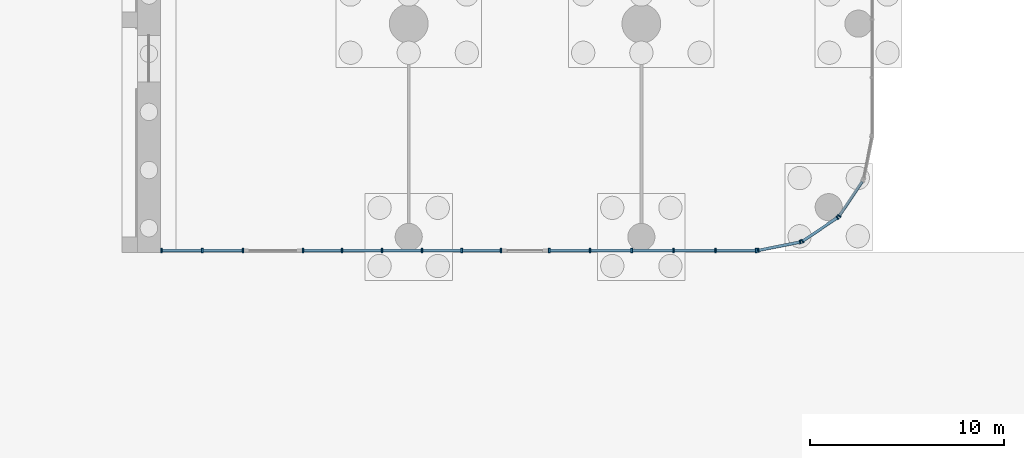
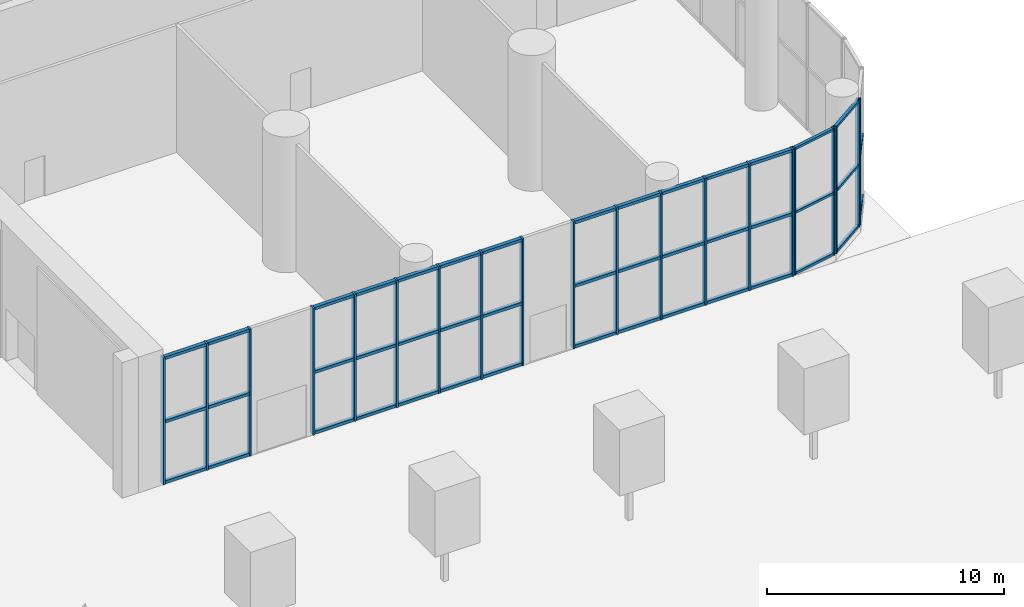
# One storey, part 9 of 26: 64 members, 6 elements without a shape of their own.
"""IFC4 building model written with IfcOpenShell, lengths in metres."""

import ifcopenshell
import ifcopenshell.guid

model = None  # the IFC model being written
_history = None  # IfcOwnerHistory: only IFC2X3 demands one
_inside = {}  # id of a spatial element -> (the spatial element, [elements in it])
_under = {}  # id of a project, library or spatial element -> (it, [spatial elements below it])
_declared = {}  # id of a project -> (the project, [libraries it declares])
_typed = {}  # id of a type object -> (the type object, [elements of that type])
_made_of = {}  # id of a material, layer set ... -> (it, [elements and type objects made of it])


def new_model(schema):
    """Start an empty IFC model of exactly this schema.

    Asked for "IFC4X3", IfcOpenShell would pick the latest addendum, in which some entities
    have other attributes; the version numbers below select the first issue.
    IFC2X3 requires an IfcOwnerHistory on every rooted entity: one is made here for all.
    """
    global model, _history
    if schema == "IFC4X3":
        model = ifcopenshell.file(schema_version=(4, 3, 0, 0))
    else:
        model = ifcopenshell.file(schema=schema)
    _inside.clear()
    _under.clear()
    _declared.clear()
    _typed.clear()
    _made_of.clear()
    _history = None
    if model.schema == "IFC2X3":
        org = make("IfcOrganization", Name="unknown")
        user = make(
            "IfcPersonAndOrganization",
            ThePerson=make("IfcPerson", FamilyName="unknown"),
            TheOrganization=org,
        )
        app = make(
            "IfcApplication",
            ApplicationDeveloper=org,
            Version="unknown",
            ApplicationFullName="unknown",
            ApplicationIdentifier="unknown",
        )
        _history = make(
            "IfcOwnerHistory",
            OwningUser=user,
            OwningApplication=app,
            ChangeAction="ADDED",
            CreationDate=0,
        )
    return model


def make(cls, **values):
    """One entity of the class cls with the attributes given. An attribute that is None is left unset."""
    return model.create_entity(
        cls, **{name: value for name, value in values.items() if value is not None}
    )


def rooted(cls, **values):
    """An entity with a GlobalId (a new one), such as an element, a storey or a relation."""
    return make(cls, GlobalId=ifcopenshell.guid.new(), OwnerHistory=_history, **values)


def si_unit(unit_type, name, prefix=None):
    """IfcSIUnit, for example si_unit("LENGTHUNIT", "METRE", prefix="MILLI")."""
    return make("IfcSIUnit", UnitType=unit_type, Prefix=prefix, Name=name)


def assignment(units):
    """IfcUnitAssignment: the units of a project."""
    return None if units is None else make("IfcUnitAssignment", Units=units)


def point(xyz):
    """IfcCartesianPoint."""
    return None if xyz is None else make("IfcCartesianPoint", Coordinates=xyz)


def direction(xyz):
    """IfcDirection."""
    return None if xyz is None else make("IfcDirection", DirectionRatios=xyz)


def frame(location, z_axis=None, x_axis=None):
    """IfcAxis2Placement3D, a coordinate frame: its origin and axes. An axis left out is left unset."""
    return make(
        "IfcAxis2Placement3D",
        Location=point(location),
        Axis=direction(z_axis),
        RefDirection=direction(x_axis),
    )


def frame_2d(location, x_axis=None):
    """IfcAxis2Placement2D, a coordinate frame in the plane: its origin and x axis."""
    return make(
        "IfcAxis2Placement2D", Location=point(location), RefDirection=direction(x_axis)
    )


def origin():
    """The frame at (0, 0, 0) with its axes left unset."""
    return frame((0.0, 0.0, 0.0))


def origin_2d():
    """The frame at (0, 0) in the plane with its x axis left unset."""
    return frame_2d((0.0, 0.0))


def place(relative_to, where):
    """IfcLocalPlacement: puts the frame where relative to a parent placement (None: the world)."""
    return make(
        "IfcLocalPlacement", PlacementRelTo=relative_to, RelativePlacement=where
    )


def context(
    kind, dimensions, precision=None, world=None, true_north=None, identifier=None
):
    """IfcGeometricRepresentationContext, for example the 3D "Model" context."""
    return make(
        "IfcGeometricRepresentationContext",
        ContextIdentifier=identifier,
        ContextType=kind,
        CoordinateSpaceDimension=dimensions,
        Precision=precision,
        WorldCoordinateSystem=world,
        TrueNorth=true_north,
    )


def subcontext(parent, identifier, kind, view, scale=None):
    """IfcGeometricRepresentationSubContext, for example "Body" below "Model"."""
    return make(
        "IfcGeometricRepresentationSubContext",
        ContextIdentifier=identifier,
        ContextType=kind,
        ParentContext=parent,
        TargetScale=scale,
        TargetView=view,
    )


def project(units=None, contexts=None):
    """IfcProject with its units and contexts."""
    return rooted(
        "IfcProject",
        Name="project",
        RepresentationContexts=contexts,
        UnitsInContext=assignment(units),
    )


def spatial(cls, under=None, at=None, **own):
    """A site, building, storey or space (cls), placed at a placement, below another one or the project."""
    s = rooted(cls, ObjectPlacement=at, **own)
    if under is not None:
        _under.setdefault(under.id(), (under, []))[1].append(s)
    return s


def profile(cls, at=None, kind="AREA", **sizes):
    """A parametric profile (cls). Its sizes go by their IFC names, for example OverallWidth=200.0."""
    return make(cls, ProfileType=kind, Position=at, **sizes)


def rectangle(**sizes):
    """IfcRectangleProfileDef."""
    return profile("IfcRectangleProfileDef", **sizes)


def extrude(swept, where, along, depth):
    """IfcExtrudedAreaSolid: the profile swept, set in the frame where, extruded along a direction by depth."""
    return make(
        "IfcExtrudedAreaSolid",
        SweptArea=swept,
        Position=where,
        ExtrudedDirection=direction(along),
        Depth=depth,
    )


def shape(context_of_items, identifier, shape_type, items):
    """IfcShapeRepresentation: the items that make up one representation, for example the "Body"."""
    return make(
        "IfcShapeRepresentation",
        ContextOfItems=context_of_items,
        RepresentationIdentifier=identifier,
        RepresentationType=shape_type,
        Items=items,
    )


def material(Name=None, Category=None):
    """IfcMaterial."""
    return make("IfcMaterial", Name=Name, Category=Category)


def layer(
    of_material, thickness, ventilated=None, Name=None, Category=None, Priority=None
):
    """IfcMaterialLayer: one layer of a wall or slab, of a material (None: an air gap)."""
    return make(
        "IfcMaterialLayer",
        Material=of_material,
        LayerThickness=thickness,
        IsVentilated=ventilated,
        Name=Name,
        Category=Category,
        Priority=Priority,
    )


def layer_set(layers, Name=None):
    """IfcMaterialLayerSet."""
    return make("IfcMaterialLayerSet", MaterialLayers=layers, LayerSetName=Name)


def material_profile(
    of_material, cross_section, Name=None, Category=None, Priority=None
):
    """IfcMaterialProfile: a cross section and its material."""
    return make(
        "IfcMaterialProfile",
        Name=Name,
        Material=of_material,
        Profile=cross_section,
        Priority=Priority,
        Category=Category,
    )


def profile_set(profiles, Name=None, composite=None):
    """IfcMaterialProfileSet."""
    return make(
        "IfcMaterialProfileSet",
        Name=Name,
        MaterialProfiles=profiles,
        CompositeProfile=composite,
    )


def made_of(thing, what):
    """Note that an element or type object is made of a material, layer set ...; save() writes the relation."""
    if what is not None:
        _made_of.setdefault(what.id(), (what, []))[1].append(thing)
    return thing


def type_object(cls, material=None, **own):
    """A type object (cls), such as IfcWallType, which elements share."""
    return made_of(rooted(cls, **own), material)


def element(
    cls,
    number,
    at=None,
    inside=None,
    cuts=None,
    type_object=None,
    material=None,
    context=None,
    identifier="Body",
    shape_type=None,
    held_by="IfcProductDefinitionShape",
    body=None,
    shapes=None,
    **own,
):
    """One element of the class cls, such as IfcWall. Its Tag is "e" and its number.

    at: its placement. inside: the storey or other place that contains it. cuts: it is an
    opening in that element (IfcRelVoidsElement). A single representation is given by context,
    identifier, shape_type and body (its items); several are given by shapes. held_by: the class
    of the entity that holds the representations. save() writes the other relations.
    """
    e = rooted(cls, Tag="e%d" % number, ObjectPlacement=at, **own)
    if body is not None:
        shapes = [shape(context, identifier, shape_type, body)]
    if shapes is not None:
        e.Representation = make(held_by, Representations=shapes)
    if inside is not None:
        _inside.setdefault(inside.id(), (inside, []))[1].append(e)
    if cuts is not None:
        rooted(
            "IfcRelVoidsElement", RelatingBuildingElement=cuts, RelatedOpeningElement=e
        )
    if type_object is not None:
        _typed.setdefault(type_object.id(), (type_object, []))[1].append(e)
    return made_of(e, material)


def aggregate(whole, parts):
    """IfcRelAggregates: a whole, such as a stair, and the parts it consists of."""
    return rooted("IfcRelAggregates", RelatingObject=whole, RelatedObjects=parts)


def save(model, path):
    """Write the relations noted so far, then the file.

    IfcRelAggregates (storeys below a building ...), IfcRelContainedInSpatialStructure (elements
    in a storey), IfcRelDefinesByType, IfcRelAssociatesMaterial and IfcRelDeclares: one each for
    every whole, place, type object, material and project.
    """
    for whole, parts in _under.values():
        aggregate(whole, parts)
    for where, things in _inside.values():
        rooted(
            "IfcRelContainedInSpatialStructure",
            RelatedElements=things,
            RelatingStructure=where,
        )
    for kind, things in _typed.values():
        rooted("IfcRelDefinesByType", RelatedObjects=things, RelatingType=kind)
    for what, things in _made_of.values():
        rooted("IfcRelAssociatesMaterial", RelatedObjects=things, RelatingMaterial=what)
    for by, libraries in _declared.values():
        rooted("IfcRelDeclares", RelatingContext=by, RelatedDefinitions=libraries)
    model.write(path)


model = new_model("IFC4")

# Units and contexts
model_context = context("Model", 3, precision=1e-05, world=origin(), true_north=direction((0.0, 1.0)))
body_context = subcontext(model_context, "Body", "Model", "MODEL_VIEW")
ifc_project = project(units=[si_unit("LENGTHUNIT", "METRE"), si_unit("AREAUNIT", "SQUARE_METRE"), si_unit("VOLUMEUNIT", "CUBIC_METRE"), si_unit("PLANEANGLEUNIT", "RADIAN"), si_unit("MASSUNIT", "GRAM", prefix="KILO")], contexts=[model_context])

# Site, building, storey
site_placement = place(None, origin())
site = spatial("IfcSite", under=ifc_project, at=site_placement, CompositionType="ELEMENT")
building_placement = place(site_placement, origin())
building = spatial("IfcBuilding", under=site, at=building_placement, Name="Torana Hotel and Residences", CompositionType="ELEMENT")
storey_placement = place(building_placement, origin())
storey = spatial("IfcBuildingStorey", under=building, at=storey_placement, Name="L00", CompositionType="ELEMENT", Elevation=0.0)

# Curtain wall, members
ifc_material_1 = material(Name="Dark anodised aluminium", Category="aluminium")
ifc_layer_1 = layer(ifc_material_1, 0.199951171875)
ifc_layer_set_1 = layer_set([ifc_layer_1], Name="CW1 PODIUM SHOPFRONT CURTAIN WALL")
curtain_wall_type_1 = type_object("IfcCurtainWallType", Name="CW1 PODIUM SHOPFRONT CURTAIN WALL", PredefinedType="NOTDEFINED", material=ifc_layer_set_1)
curtain_wall_1_placement = place(storey_placement, origin())
curtain_wall_1 = element("IfcCurtainWall", 1, at=curtain_wall_1_placement, inside=storey, type_object=curtain_wall_type_1, Name="Curtain wall CW1 L00 e1.1-1", PredefinedType="NOTDEFINED")
ifc_material_2 = material(Name="Dark anodised aluminium", Category="aluminium")
ifc_material_profile_1 = material_profile(ifc_material_2, rectangle(XDim=0.199951171875, YDim=0.070068359375, at=origin_2d()), Name="CW1 MULLION 70x200")
ifc_profile_set_1 = profile_set([ifc_material_profile_1], Name="Dark anodised aluminium")
member_type_1 = type_object("IfcMemberType", Name="CW1 MULLION 70x200", PredefinedType="MULLION", material=ifc_profile_set_1)
member_1_placement = place(storey_placement, frame((42.038818359375, -39.890380859375, 0.0), z_axis=(0.0, 0.0, 1.0), x_axis=(-0.195080996415, 0.980787135335, 0.0)))
member_1 = element("IfcMember", 2, at=member_1_placement, type_object=member_type_1, Name="CW1 mullion 1", PredefinedType="MULLION", context=body_context, shape_type="SweptSolid", body=[
    extrude(rectangle(XDim=0.199951171875, YDim=0.070068359375, at=origin_2d()), origin(), (0.0, 0.0, 1.0), 6.550048828125),
])
member_2_placement = place(storey_placement, frame((44.193359375, -39.461669921875, 0.0), z_axis=(0.0, 0.0, 1.0), x_axis=(-0.195080996415, 0.980787135335, 0.0)))
member_2 = element("IfcMember", 3, at=member_2_placement, type_object=member_type_1, Name="CW1 mullion 2", PredefinedType="MULLION", context=body_context, shape_type="SweptSolid", body=[
    extrude(rectangle(XDim=0.199951171875, YDim=0.070068359375, at=origin_2d()), origin(), (0.0, 0.0, 1.0), 6.550048828125),
])

curtain_wall_2_placement = place(storey_placement, origin())
curtain_wall_2 = element("IfcCurtainWall", 4, at=curtain_wall_2_placement, inside=storey, type_object=curtain_wall_type_1, Name="Curtain wall CW1 L00 e1.2-1", PredefinedType="NOTDEFINED")
member_3_placement = place(storey_placement, frame((44.31103515625, -39.4130859375, 0.0), z_axis=(0.0, 0.0, 1.0), x_axis=(-0.555585238723, 0.831459585616, 0.0)))
member_3 = element("IfcMember", 5, at=member_3_placement, type_object=member_type_1, Name="CW1 mullion 1", PredefinedType="MULLION", context=body_context, shape_type="SweptSolid", body=[
    extrude(rectangle(XDim=0.199951171875, YDim=0.070068359375, at=origin_2d()), origin(), (0.0, 0.0, 1.0), 6.550048828125),
])
member_4_placement = place(storey_placement, frame((46.11669921875, -38.20654296875, 0.0), z_axis=(0.0, 0.0, 1.0), x_axis=(-0.555585238723, 0.831459585616, 0.0)))
member_4 = element("IfcMember", 6, at=member_4_placement, type_object=member_type_1, Name="CW1 mullion 2", PredefinedType="MULLION", context=body_context, shape_type="SweptSolid", body=[
    extrude(rectangle(XDim=0.199951171875, YDim=0.070068359375, at=origin_2d()), origin(), (0.0, 0.0, 1.0), 6.550048828125),
])

# Curtain wall, member
curtain_wall_3_placement = place(storey_placement, origin())
curtain_wall_3 = element("IfcCurtainWall", 7, at=curtain_wall_3_placement, inside=storey, type_object=curtain_wall_type_1, Name="Curtain wall CW1 L00 e1.3-1", PredefinedType="NOTDEFINED")
member_5_placement = place(storey_placement, frame((46.20654296875, -38.11669921875, 0.0), z_axis=(0.0, 0.0, 1.0), x_axis=(-0.831459585616, 0.555585238723, 0.0)))
member_5 = element("IfcMember", 8, at=member_5_placement, type_object=member_type_1, Name="CW1 mullion 1", PredefinedType="MULLION", context=body_context, shape_type="SweptSolid", body=[
    extrude(rectangle(XDim=0.199951171875, YDim=0.070068359375, at=origin_2d()), origin(), (0.0, 0.0, 1.0), 6.550048828125),
])

# Member
ifc_material_3 = material(Name="Dark anodised aluminium", Category="aluminium")
ifc_material_profile_2 = material_profile(ifc_material_3, rectangle(XDim=0.14990234375, YDim=0.1201171875, at=origin_2d()), Name="CW1 TRANSOM 150x120")
ifc_profile_set_2 = profile_set([ifc_material_profile_2], Name="Dark anodised aluminium")
member_type_2 = type_object("IfcMemberType", Name="CW1 TRANSOM 150x120", PredefinedType="USERDEFINED", material=ifc_profile_set_2)
member_6_placement = place(storey_placement, frame((42.0732421875, -39.883544921875, 0.06005859375), z_axis=(0.980774456351, 0.195144730313, 0.0), x_axis=(-0.195144730313, 0.980774456351, 0.0)))
member_6 = element("IfcMember", 9, at=member_6_placement, type_object=member_type_2, Name="CW1 transom 1.1", ObjectType="TRANSOM", PredefinedType="USERDEFINED", context=body_context, shape_type="SweptSolid", body=[
    extrude(rectangle(XDim=0.14990234375, YDim=0.1201171875, at=origin_2d()), origin(), (0.0, 0.0, 1.0), 2.126708984375),
])

member_7_placement = place(storey_placement, frame((42.0732421875, -39.883544921875, 3.199951171875), z_axis=(0.980774456351, 0.195144730313, 0.0), x_axis=(-0.195144730313, 0.980774456351, 0.0)))
member_7 = element("IfcMember", 10, at=member_7_placement, type_object=member_type_2, Name="CW1 transom 1.2", ObjectType="TRANSOM", PredefinedType="USERDEFINED", context=body_context, shape_type="SweptSolid", body=[
    extrude(rectangle(XDim=0.14990234375, YDim=0.1201171875, at=origin_2d()), origin(), (0.0, 0.0, 1.0), 2.126708984375),
])

member_8_placement = place(storey_placement, frame((42.0732421875, -39.883544921875, 6.489990234375), z_axis=(0.980774456351, 0.195144730313, 0.0), x_axis=(-0.195144730313, 0.980774456351, 0.0)))
member_8 = element("IfcMember", 11, at=member_8_placement, type_object=member_type_2, Name="CW1 transom 1.3", ObjectType="TRANSOM", PredefinedType="USERDEFINED", context=body_context, shape_type="SweptSolid", body=[
    extrude(rectangle(XDim=0.14990234375, YDim=0.1201171875, at=origin_2d()), origin(), (0.0, 0.0, 1.0), 2.126708984375),
])

aggregate(curtain_wall_1, [member_1, member_2, member_6, member_7, member_8])

member_9_placement = place(storey_placement, frame((44.340087890625, -39.3935546875, 0.06005859375), z_axis=(0.83147790434, 0.555557822908, 0.0), x_axis=(-0.555557822908, 0.83147790434, 0.0)))
member_9 = element("IfcMember", 12, at=member_9_placement, type_object=member_type_2, Name="CW1 transom 1.1", ObjectType="TRANSOM", PredefinedType="USERDEFINED", context=body_context, shape_type="SweptSolid", body=[
    extrude(rectangle(XDim=0.14990234375, YDim=0.1201171875, at=origin_2d()), origin(), (0.0, 0.0, 1.0), 2.1015625),
])

member_10_placement = place(storey_placement, frame((44.340087890625, -39.3935546875, 3.199951171875), z_axis=(0.83147790434, 0.555557822908, 0.0), x_axis=(-0.555557822908, 0.83147790434, 0.0)))
member_10 = element("IfcMember", 13, at=member_10_placement, type_object=member_type_2, Name="CW1 transom 1.2", ObjectType="TRANSOM", PredefinedType="USERDEFINED", context=body_context, shape_type="SweptSolid", body=[
    extrude(rectangle(XDim=0.14990234375, YDim=0.1201171875, at=origin_2d()), origin(), (0.0, 0.0, 1.0), 2.1015625),
])

member_11_placement = place(storey_placement, frame((44.340087890625, -39.3935546875, 6.489990234375), z_axis=(0.83147790434, 0.555557822908, 0.0), x_axis=(-0.555557822908, 0.83147790434, 0.0)))
member_11 = element("IfcMember", 14, at=member_11_placement, type_object=member_type_2, Name="CW1 transom 1.3", ObjectType="TRANSOM", PredefinedType="USERDEFINED", context=body_context, shape_type="SweptSolid", body=[
    extrude(rectangle(XDim=0.14990234375, YDim=0.1201171875, at=origin_2d()), origin(), (0.0, 0.0, 1.0), 2.1015625),
])

aggregate(curtain_wall_2, [member_3, member_4, member_9, member_10, member_11])

member_12_placement = place(storey_placement, frame((46.22607421875, -38.08740234375, 0.06005859375), z_axis=(0.555557822908, 0.83147790434, 0.0), x_axis=(-0.83147790434, 0.555557822908, 0.0)))
member_12 = element("IfcMember", 15, at=member_12_placement, type_object=member_type_2, Name="CW1 transom 1.1", ObjectType="TRANSOM", PredefinedType="USERDEFINED", context=body_context, shape_type="SweptSolid", body=[
    extrude(rectangle(XDim=0.14990234375, YDim=0.1201171875, at=origin_2d()), origin(), (0.0, 0.0, 1.0), 2.1015625),
])

member_13_placement = place(storey_placement, frame((46.22607421875, -38.08740234375, 3.199951171875), z_axis=(0.555557822908, 0.83147790434, 0.0), x_axis=(-0.83147790434, 0.555557822908, 0.0)))
member_13 = element("IfcMember", 16, at=member_13_placement, type_object=member_type_2, Name="CW1 transom 1.2", ObjectType="TRANSOM", PredefinedType="USERDEFINED", context=body_context, shape_type="SweptSolid", body=[
    extrude(rectangle(XDim=0.14990234375, YDim=0.1201171875, at=origin_2d()), origin(), (0.0, 0.0, 1.0), 2.1015625),
])

aggregate(curtain_wall_3, [member_5, member_12, member_13])

# Curtain wall, members
ifc_material_4 = material(Name="Dark anodised aluminium", Category="aluminium")
ifc_layer_2 = layer(ifc_material_4, 0.25)
ifc_layer_set_2 = layer_set([ifc_layer_2], Name="CW6 LOBBY ENTRANCE FRONT CURTAIN WALL")
curtain_wall_type_2 = type_object("IfcCurtainWallType", Name="CW6 LOBBY ENTRANCE FRONT CURTAIN WALL", PredefinedType="NOTDEFINED", material=ifc_layer_set_2)
curtain_wall_4_placement = place(storey_placement, origin())
curtain_wall_4 = element("IfcCurtainWall", 17, at=curtain_wall_4_placement, inside=storey, type_object=curtain_wall_type_2, Name="Curtain wall CW6 L00 e1.0-1", PredefinedType="NOTDEFINED")
ifc_material_5 = material(Name="Dark anodised aluminium", Category="aluminium")
ifc_material_profile_3 = material_profile(ifc_material_5, rectangle(XDim=0.25, YDim=0.090087890625, at=origin_2d()), Name="CW6 MULLION 90x250")
ifc_profile_set_3 = profile_set([ifc_material_profile_3], Name="Dark anodised aluminium")
member_type_3 = type_object("IfcMemberType", Name="CW6 MULLION 90x250", PredefinedType="MULLION", material=ifc_profile_set_3)
member_14_placement = place(storey_placement, frame((11.2451171875, -39.89990234375, 0.0), z_axis=(0.0, 0.0, 1.0), x_axis=(0.0, 1.0, 0.0)))
member_14 = element("IfcMember", 18, at=member_14_placement, type_object=member_type_3, Name="CW6 mullion 1", PredefinedType="MULLION", context=body_context, shape_type="SweptSolid", body=[
    extrude(rectangle(XDim=0.25, YDim=0.090087890625, at=origin_2d()), origin(), (0.0, 0.0, 1.0), 6.550048828125),
])
member_15_placement = place(storey_placement, frame((13.35009765625, -39.89990234375, 0.0), z_axis=(0.0, 0.0, 1.0), x_axis=(0.0, 1.0, 0.0)))
member_15 = element("IfcMember", 19, at=member_15_placement, type_object=member_type_3, Name="CW6 mullion 2", PredefinedType="MULLION", context=body_context, shape_type="SweptSolid", body=[
    extrude(rectangle(XDim=0.25, YDim=0.090087890625, at=origin_2d()), origin(), (0.0, 0.0, 1.0), 6.550048828125),
])
member_16_placement = place(storey_placement, frame((15.455078125, -39.89990234375, 0.0), z_axis=(0.0, 0.0, 1.0), x_axis=(0.0, 1.0, 0.0)))
member_16 = element("IfcMember", 20, at=member_16_placement, type_object=member_type_3, Name="CW6 mullion 3", PredefinedType="MULLION", context=body_context, shape_type="SweptSolid", body=[
    extrude(rectangle(XDim=0.25, YDim=0.090087890625, at=origin_2d()), origin(), (0.0, 0.0, 1.0), 6.550048828125),
])

curtain_wall_5_placement = place(storey_placement, origin())
curtain_wall_5 = element("IfcCurtainWall", 21, at=curtain_wall_5_placement, inside=storey, type_object=curtain_wall_type_2, Name="Curtain wall CW6 L00 e1.0-3", PredefinedType="NOTDEFINED")
member_17_placement = place(storey_placement, frame((18.544921875, -39.89990234375, 0.0), z_axis=(0.0, 0.0, 1.0), x_axis=(0.0, 1.0, 0.0)))
member_17 = element("IfcMember", 22, at=member_17_placement, type_object=member_type_3, Name="CW6 mullion 1", PredefinedType="MULLION", context=body_context, shape_type="SweptSolid", body=[
    extrude(rectangle(XDim=0.25, YDim=0.090087890625, at=origin_2d()), origin(), (0.0, 0.0, 1.0), 6.550048828125),
])
member_18_placement = place(storey_placement, frame((20.56005859375, -39.89990234375, 0.0), z_axis=(0.0, 0.0, 1.0), x_axis=(0.0, 1.0, 0.0)))
member_18 = element("IfcMember", 23, at=member_18_placement, type_object=member_type_3, Name="CW6 mullion 2", PredefinedType="MULLION", context=body_context, shape_type="SweptSolid", body=[
    extrude(rectangle(XDim=0.25, YDim=0.090087890625, at=origin_2d()), origin(), (0.0, 0.0, 1.0), 6.550048828125),
])
member_19_placement = place(storey_placement, frame((22.6201171875, -39.89990234375, 0.0), z_axis=(0.0, 0.0, 1.0), x_axis=(0.0, 1.0, 0.0)))
member_19 = element("IfcMember", 24, at=member_19_placement, type_object=member_type_3, Name="CW6 mullion 3", PredefinedType="MULLION", context=body_context, shape_type="SweptSolid", body=[
    extrude(rectangle(XDim=0.25, YDim=0.090087890625, at=origin_2d()), origin(), (0.0, 0.0, 1.0), 6.550048828125),
])
member_20_placement = place(storey_placement, frame((24.679931640625, -39.89990234375, 0.0), z_axis=(0.0, 0.0, 1.0), x_axis=(0.0, 1.0, 0.0)))
member_20 = element("IfcMember", 25, at=member_20_placement, type_object=member_type_3, Name="CW6 mullion 4", PredefinedType="MULLION", context=body_context, shape_type="SweptSolid", body=[
    extrude(rectangle(XDim=0.25, YDim=0.090087890625, at=origin_2d()), origin(), (0.0, 0.0, 1.0), 6.550048828125),
])
member_21_placement = place(storey_placement, frame((26.739990234375, -39.89990234375, 0.0), z_axis=(0.0, 0.0, 1.0), x_axis=(0.0, 1.0, 0.0)))
member_21 = element("IfcMember", 26, at=member_21_placement, type_object=member_type_3, Name="CW6 mullion 5", PredefinedType="MULLION", context=body_context, shape_type="SweptSolid", body=[
    extrude(rectangle(XDim=0.25, YDim=0.090087890625, at=origin_2d()), origin(), (0.0, 0.0, 1.0), 6.550048828125),
])
member_22_placement = place(storey_placement, frame((28.7548828125, -39.89990234375, 0.0), z_axis=(0.0, 0.0, 1.0), x_axis=(0.0, 1.0, 0.0)))
member_22 = element("IfcMember", 27, at=member_22_placement, type_object=member_type_3, Name="CW6 mullion 6", PredefinedType="MULLION", context=body_context, shape_type="SweptSolid", body=[
    extrude(rectangle(XDim=0.25, YDim=0.090087890625, at=origin_2d()), origin(), (0.0, 0.0, 1.0), 6.550048828125),
])

curtain_wall_6_placement = place(storey_placement, origin())
curtain_wall_6 = element("IfcCurtainWall", 28, at=curtain_wall_6_placement, inside=storey, type_object=curtain_wall_type_2, Name="Curtain wall CW6 L00 e1.0-5", PredefinedType="NOTDEFINED")
member_23_placement = place(storey_placement, frame((31.2451171875, -39.89990234375, 0.0), z_axis=(0.0, 0.0, 1.0), x_axis=(0.0, 1.0, 0.0)))
member_23 = element("IfcMember", 29, at=member_23_placement, type_object=member_type_3, Name="CW6 mullion 1", PredefinedType="MULLION", context=body_context, shape_type="SweptSolid", body=[
    extrude(rectangle(XDim=0.25, YDim=0.090087890625, at=origin_2d()), origin(), (0.0, 0.0, 1.0), 6.550048828125),
])
member_24_placement = place(storey_placement, frame((33.35498046875, -39.89990234375, 0.0), z_axis=(0.0, 0.0, 1.0), x_axis=(0.0, 1.0, 0.0)))
member_24 = element("IfcMember", 30, at=member_24_placement, type_object=member_type_3, Name="CW6 mullion 2", PredefinedType="MULLION", context=body_context, shape_type="SweptSolid", body=[
    extrude(rectangle(XDim=0.25, YDim=0.090087890625, at=origin_2d()), origin(), (0.0, 0.0, 1.0), 6.550048828125),
])
member_25_placement = place(storey_placement, frame((35.51025390625, -39.89990234375, 0.0), z_axis=(0.0, 0.0, 1.0), x_axis=(0.0, 1.0, 0.0)))
member_25 = element("IfcMember", 31, at=member_25_placement, type_object=member_type_3, Name="CW6 mullion 3", PredefinedType="MULLION", context=body_context, shape_type="SweptSolid", body=[
    extrude(rectangle(XDim=0.25, YDim=0.090087890625, at=origin_2d()), origin(), (0.0, 0.0, 1.0), 6.550048828125),
])
member_26_placement = place(storey_placement, frame((37.665283203125, -39.89990234375, 0.0), z_axis=(0.0, 0.0, 1.0), x_axis=(0.0, 1.0, 0.0)))
member_26 = element("IfcMember", 32, at=member_26_placement, type_object=member_type_3, Name="CW6 mullion 4", PredefinedType="MULLION", context=body_context, shape_type="SweptSolid", body=[
    extrude(rectangle(XDim=0.25, YDim=0.090087890625, at=origin_2d()), origin(), (0.0, 0.0, 1.0), 6.550048828125),
])
member_27_placement = place(storey_placement, frame((39.8203125, -39.89990234375, 0.0), z_axis=(0.0, 0.0, 1.0), x_axis=(0.0, 1.0, 0.0)))
member_27 = element("IfcMember", 33, at=member_27_placement, type_object=member_type_3, Name="CW6 mullion 5", PredefinedType="MULLION", context=body_context, shape_type="SweptSolid", body=[
    extrude(rectangle(XDim=0.25, YDim=0.090087890625, at=origin_2d()), origin(), (0.0, 0.0, 1.0), 6.550048828125),
])
member_28_placement = place(storey_placement, frame((41.930419921875, -39.89990234375, 0.0), z_axis=(0.0, 0.0, 1.0), x_axis=(0.0, 1.0, 0.0)))
member_28 = element("IfcMember", 34, at=member_28_placement, type_object=member_type_3, Name="CW6 mullion 6", PredefinedType="MULLION", context=body_context, shape_type="SweptSolid", body=[
    extrude(rectangle(XDim=0.25, YDim=0.090087890625, at=origin_2d()), origin(), (0.0, 0.0, 1.0), 6.550048828125),
])

# Member
ifc_material_6 = material(Name="Dark anodised aluminium", Category="aluminium")
ifc_material_profile_4 = material_profile(ifc_material_6, rectangle(XDim=0.179931640625, YDim=0.14990234375, at=origin_2d()), Name="CW6 TRANSOM 180x150")
ifc_profile_set_4 = profile_set([ifc_material_profile_4], Name="Dark anodised aluminium")
member_type_4 = type_object("IfcMemberType", Name="CW6 TRANSOM 180x150", PredefinedType="USERDEFINED", material=ifc_profile_set_4)
member_29_placement = place(storey_placement, frame((11.2900390625, -39.89990234375, 0.074951171875), z_axis=(1.0, 0.0, 0.0), x_axis=(0.0, 1.0, 0.0)))
member_29 = element("IfcMember", 35, at=member_29_placement, type_object=member_type_4, Name="CW6 transom 1.1", ObjectType="TRANSOM", PredefinedType="USERDEFINED", context=body_context, shape_type="SweptSolid", body=[
    extrude(rectangle(XDim=0.179931640625, YDim=0.14990234375, at=origin_2d()), origin(), (0.0, 0.0, 1.0), 2.014892578125),
])

member_30_placement = place(storey_placement, frame((11.2900390625, -39.89990234375, 3.199951171875), z_axis=(1.0, 0.0, 0.0), x_axis=(0.0, 1.0, 0.0)))
member_30 = element("IfcMember", 36, at=member_30_placement, type_object=member_type_4, Name="CW6 transom 1.2", ObjectType="TRANSOM", PredefinedType="USERDEFINED", context=body_context, shape_type="SweptSolid", body=[
    extrude(rectangle(XDim=0.179931640625, YDim=0.14990234375, at=origin_2d()), origin(), (0.0, 0.0, 1.0), 2.014892578125),
])

member_31_placement = place(storey_placement, frame((11.2900390625, -39.89990234375, 6.47509765625), z_axis=(1.0, 0.0, 0.0), x_axis=(0.0, 1.0, 0.0)))
member_31 = element("IfcMember", 37, at=member_31_placement, type_object=member_type_4, Name="CW6 transom 1.3", ObjectType="TRANSOM", PredefinedType="USERDEFINED", context=body_context, shape_type="SweptSolid", body=[
    extrude(rectangle(XDim=0.179931640625, YDim=0.14990234375, at=origin_2d()), origin(), (0.0, 0.0, 1.0), 2.014892578125),
])

member_32_placement = place(storey_placement, frame((13.39501953125, -39.89990234375, 0.074951171875), z_axis=(1.0, 0.0, 0.0), x_axis=(0.0, 1.0, 0.0)))
member_32 = element("IfcMember", 38, at=member_32_placement, type_object=member_type_4, Name="CW6 transom 2.1", ObjectType="TRANSOM", PredefinedType="USERDEFINED", context=body_context, shape_type="SweptSolid", body=[
    extrude(rectangle(XDim=0.179931640625, YDim=0.14990234375, at=origin_2d()), origin(), (0.0, 0.0, 1.0), 2.014892578125),
])

member_33_placement = place(storey_placement, frame((13.39501953125, -39.89990234375, 3.199951171875), z_axis=(1.0, 0.0, 0.0), x_axis=(0.0, 1.0, 0.0)))
member_33 = element("IfcMember", 39, at=member_33_placement, type_object=member_type_4, Name="CW6 transom 2.2", ObjectType="TRANSOM", PredefinedType="USERDEFINED", context=body_context, shape_type="SweptSolid", body=[
    extrude(rectangle(XDim=0.179931640625, YDim=0.14990234375, at=origin_2d()), origin(), (0.0, 0.0, 1.0), 2.014892578125),
])

member_34_placement = place(storey_placement, frame((13.39501953125, -39.89990234375, 6.47509765625), z_axis=(1.0, 0.0, 0.0), x_axis=(0.0, 1.0, 0.0)))
member_34 = element("IfcMember", 40, at=member_34_placement, type_object=member_type_4, Name="CW6 transom 2.3", ObjectType="TRANSOM", PredefinedType="USERDEFINED", context=body_context, shape_type="SweptSolid", body=[
    extrude(rectangle(XDim=0.179931640625, YDim=0.14990234375, at=origin_2d()), origin(), (0.0, 0.0, 1.0), 2.014892578125),
])

aggregate(curtain_wall_4, [member_14, member_15, member_16, member_29, member_30, member_31, member_32, member_33, member_34])

member_35_placement = place(storey_placement, frame((18.590087890625, -39.89990234375, 0.074951171875), z_axis=(1.0, 0.0, 0.0), x_axis=(0.0, 1.0, 0.0)))
member_35 = element("IfcMember", 41, at=member_35_placement, type_object=member_type_4, Name="CW6 transom 1.1", ObjectType="TRANSOM", PredefinedType="USERDEFINED", context=body_context, shape_type="SweptSolid", body=[
    extrude(rectangle(XDim=0.179931640625, YDim=0.14990234375, at=origin_2d()), origin(), (0.0, 0.0, 1.0), 1.9248046875),
])

member_36_placement = place(storey_placement, frame((18.590087890625, -39.89990234375, 3.199951171875), z_axis=(1.0, 0.0, 0.0), x_axis=(0.0, 1.0, 0.0)))
member_36 = element("IfcMember", 42, at=member_36_placement, type_object=member_type_4, Name="CW6 transom 1.2", ObjectType="TRANSOM", PredefinedType="USERDEFINED", context=body_context, shape_type="SweptSolid", body=[
    extrude(rectangle(XDim=0.179931640625, YDim=0.14990234375, at=origin_2d()), origin(), (0.0, 0.0, 1.0), 1.9248046875),
])

member_37_placement = place(storey_placement, frame((18.590087890625, -39.89990234375, 6.47509765625), z_axis=(1.0, 0.0, 0.0), x_axis=(0.0, 1.0, 0.0)))
member_37 = element("IfcMember", 43, at=member_37_placement, type_object=member_type_4, Name="CW6 transom 1.3", ObjectType="TRANSOM", PredefinedType="USERDEFINED", context=body_context, shape_type="SweptSolid", body=[
    extrude(rectangle(XDim=0.179931640625, YDim=0.14990234375, at=origin_2d()), origin(), (0.0, 0.0, 1.0), 1.9248046875),
])

member_38_placement = place(storey_placement, frame((20.60498046875, -39.89990234375, 0.074951171875), z_axis=(1.0, 0.0, 0.0), x_axis=(0.0, 1.0, 0.0)))
member_38 = element("IfcMember", 44, at=member_38_placement, type_object=member_type_4, Name="CW6 transom 2.1", ObjectType="TRANSOM", PredefinedType="USERDEFINED", context=body_context, shape_type="SweptSolid", body=[
    extrude(rectangle(XDim=0.179931640625, YDim=0.14990234375, at=origin_2d()), origin(), (0.0, 0.0, 1.0), 1.969970703125),
])

member_39_placement = place(storey_placement, frame((20.60498046875, -39.89990234375, 3.199951171875), z_axis=(1.0, 0.0, 0.0), x_axis=(0.0, 1.0, 0.0)))
member_39 = element("IfcMember", 45, at=member_39_placement, type_object=member_type_4, Name="CW6 transom 2.2", ObjectType="TRANSOM", PredefinedType="USERDEFINED", context=body_context, shape_type="SweptSolid", body=[
    extrude(rectangle(XDim=0.179931640625, YDim=0.14990234375, at=origin_2d()), origin(), (0.0, 0.0, 1.0), 1.969970703125),
])

member_40_placement = place(storey_placement, frame((20.60498046875, -39.89990234375, 6.47509765625), z_axis=(1.0, 0.0, 0.0), x_axis=(0.0, 1.0, 0.0)))
member_40 = element("IfcMember", 46, at=member_40_placement, type_object=member_type_4, Name="CW6 transom 2.3", ObjectType="TRANSOM", PredefinedType="USERDEFINED", context=body_context, shape_type="SweptSolid", body=[
    extrude(rectangle(XDim=0.179931640625, YDim=0.14990234375, at=origin_2d()), origin(), (0.0, 0.0, 1.0), 1.969970703125),
])

member_41_placement = place(storey_placement, frame((22.6650390625, -39.89990234375, 0.074951171875), z_axis=(1.0, 0.0, 0.0), x_axis=(0.0, 1.0, 0.0)))
member_41 = element("IfcMember", 47, at=member_41_placement, type_object=member_type_4, Name="CW6 transom 3.1", ObjectType="TRANSOM", PredefinedType="USERDEFINED", context=body_context, shape_type="SweptSolid", body=[
    extrude(rectangle(XDim=0.179931640625, YDim=0.14990234375, at=origin_2d()), origin(), (0.0, 0.0, 1.0), 1.969970703125),
])

member_42_placement = place(storey_placement, frame((22.6650390625, -39.89990234375, 3.199951171875), z_axis=(1.0, 0.0, 0.0), x_axis=(0.0, 1.0, 0.0)))
member_42 = element("IfcMember", 48, at=member_42_placement, type_object=member_type_4, Name="CW6 transom 3.2", ObjectType="TRANSOM", PredefinedType="USERDEFINED", context=body_context, shape_type="SweptSolid", body=[
    extrude(rectangle(XDim=0.179931640625, YDim=0.14990234375, at=origin_2d()), origin(), (0.0, 0.0, 1.0), 1.969970703125),
])

member_43_placement = place(storey_placement, frame((22.6650390625, -39.89990234375, 6.47509765625), z_axis=(1.0, 0.0, 0.0), x_axis=(0.0, 1.0, 0.0)))
member_43 = element("IfcMember", 49, at=member_43_placement, type_object=member_type_4, Name="CW6 transom 3.3", ObjectType="TRANSOM", PredefinedType="USERDEFINED", context=body_context, shape_type="SweptSolid", body=[
    extrude(rectangle(XDim=0.179931640625, YDim=0.14990234375, at=origin_2d()), origin(), (0.0, 0.0, 1.0), 1.969970703125),
])

member_44_placement = place(storey_placement, frame((24.72509765625, -39.89990234375, 0.074951171875), z_axis=(1.0, 0.0, 0.0), x_axis=(0.0, 1.0, 0.0)))
member_44 = element("IfcMember", 50, at=member_44_placement, type_object=member_type_4, Name="CW6 transom 4.1", ObjectType="TRANSOM", PredefinedType="USERDEFINED", context=body_context, shape_type="SweptSolid", body=[
    extrude(rectangle(XDim=0.179931640625, YDim=0.14990234375, at=origin_2d()), origin(), (0.0, 0.0, 1.0), 1.969970703125),
])

member_45_placement = place(storey_placement, frame((24.72509765625, -39.89990234375, 3.199951171875), z_axis=(1.0, 0.0, 0.0), x_axis=(0.0, 1.0, 0.0)))
member_45 = element("IfcMember", 51, at=member_45_placement, type_object=member_type_4, Name="CW6 transom 4.2", ObjectType="TRANSOM", PredefinedType="USERDEFINED", context=body_context, shape_type="SweptSolid", body=[
    extrude(rectangle(XDim=0.179931640625, YDim=0.14990234375, at=origin_2d()), origin(), (0.0, 0.0, 1.0), 1.969970703125),
])

member_46_placement = place(storey_placement, frame((24.72509765625, -39.89990234375, 6.47509765625), z_axis=(1.0, 0.0, 0.0), x_axis=(0.0, 1.0, 0.0)))
member_46 = element("IfcMember", 52, at=member_46_placement, type_object=member_type_4, Name="CW6 transom 4.3", ObjectType="TRANSOM", PredefinedType="USERDEFINED", context=body_context, shape_type="SweptSolid", body=[
    extrude(rectangle(XDim=0.179931640625, YDim=0.14990234375, at=origin_2d()), origin(), (0.0, 0.0, 1.0), 1.969970703125),
])

member_47_placement = place(storey_placement, frame((26.784912109375, -39.89990234375, 0.074951171875), z_axis=(1.0, 0.0, 0.0), x_axis=(0.0, 1.0, 0.0)))
member_47 = element("IfcMember", 53, at=member_47_placement, type_object=member_type_4, Name="CW6 transom 5.1", ObjectType="TRANSOM", PredefinedType="USERDEFINED", context=body_context, shape_type="SweptSolid", body=[
    extrude(rectangle(XDim=0.179931640625, YDim=0.14990234375, at=origin_2d()), origin(), (0.0, 0.0, 1.0), 1.925048828125),
])

member_48_placement = place(storey_placement, frame((26.784912109375, -39.89990234375, 3.199951171875), z_axis=(1.0, 0.0, 0.0), x_axis=(0.0, 1.0, 0.0)))
member_48 = element("IfcMember", 54, at=member_48_placement, type_object=member_type_4, Name="CW6 transom 5.2", ObjectType="TRANSOM", PredefinedType="USERDEFINED", context=body_context, shape_type="SweptSolid", body=[
    extrude(rectangle(XDim=0.179931640625, YDim=0.14990234375, at=origin_2d()), origin(), (0.0, 0.0, 1.0), 1.925048828125),
])

member_49_placement = place(storey_placement, frame((26.784912109375, -39.89990234375, 6.47509765625), z_axis=(1.0, 0.0, 0.0), x_axis=(0.0, 1.0, 0.0)))
member_49 = element("IfcMember", 55, at=member_49_placement, type_object=member_type_4, Name="CW6 transom 5.3", ObjectType="TRANSOM", PredefinedType="USERDEFINED", context=body_context, shape_type="SweptSolid", body=[
    extrude(rectangle(XDim=0.179931640625, YDim=0.14990234375, at=origin_2d()), origin(), (0.0, 0.0, 1.0), 1.925048828125),
])

aggregate(curtain_wall_5, [member_17, member_18, member_19, member_20, member_21, member_22, member_35, member_36, member_37, member_38, member_39, member_40, member_41, member_42, member_43, member_44, member_45, member_46, member_47, member_48, member_49])

member_50_placement = place(storey_placement, frame((31.2900390625, -39.89990234375, 0.074951171875), z_axis=(1.0, 0.0, 0.0), x_axis=(0.0, 1.0, 0.0)))
member_50 = element("IfcMember", 56, at=member_50_placement, type_object=member_type_4, Name="CW6 transom 1.1", ObjectType="TRANSOM", PredefinedType="USERDEFINED", context=body_context, shape_type="SweptSolid", body=[
    extrude(rectangle(XDim=0.179931640625, YDim=0.14990234375, at=origin_2d()), origin(), (0.0, 0.0, 1.0), 2.02001953125),
])

member_51_placement = place(storey_placement, frame((31.2900390625, -39.89990234375, 3.199951171875), z_axis=(1.0, 0.0, 0.0), x_axis=(0.0, 1.0, 0.0)))
member_51 = element("IfcMember", 57, at=member_51_placement, type_object=member_type_4, Name="CW6 transom 1.2", ObjectType="TRANSOM", PredefinedType="USERDEFINED", context=body_context, shape_type="SweptSolid", body=[
    extrude(rectangle(XDim=0.179931640625, YDim=0.14990234375, at=origin_2d()), origin(), (0.0, 0.0, 1.0), 2.02001953125),
])

member_52_placement = place(storey_placement, frame((31.2900390625, -39.89990234375, 6.47509765625), z_axis=(1.0, 0.0, 0.0), x_axis=(0.0, 1.0, 0.0)))
member_52 = element("IfcMember", 58, at=member_52_placement, type_object=member_type_4, Name="CW6 transom 1.3", ObjectType="TRANSOM", PredefinedType="USERDEFINED", context=body_context, shape_type="SweptSolid", body=[
    extrude(rectangle(XDim=0.179931640625, YDim=0.14990234375, at=origin_2d()), origin(), (0.0, 0.0, 1.0), 2.02001953125),
])

member_53_placement = place(storey_placement, frame((33.400146484375, -39.89990234375, 0.074951171875), z_axis=(1.0, 0.0, 0.0), x_axis=(0.0, 1.0, 0.0)))
member_53 = element("IfcMember", 59, at=member_53_placement, type_object=member_type_4, Name="CW6 transom 2.1", ObjectType="TRANSOM", PredefinedType="USERDEFINED", context=body_context, shape_type="SweptSolid", body=[
    extrude(rectangle(XDim=0.179931640625, YDim=0.14990234375, at=origin_2d()), origin(), (0.0, 0.0, 1.0), 2.06494140625),
])

member_54_placement = place(storey_placement, frame((33.400146484375, -39.89990234375, 3.199951171875), z_axis=(1.0, 0.0, 0.0), x_axis=(0.0, 1.0, 0.0)))
member_54 = element("IfcMember", 60, at=member_54_placement, type_object=member_type_4, Name="CW6 transom 2.2", ObjectType="TRANSOM", PredefinedType="USERDEFINED", context=body_context, shape_type="SweptSolid", body=[
    extrude(rectangle(XDim=0.179931640625, YDim=0.14990234375, at=origin_2d()), origin(), (0.0, 0.0, 1.0), 2.06494140625),
])

member_55_placement = place(storey_placement, frame((33.400146484375, -39.89990234375, 6.47509765625), z_axis=(1.0, 0.0, 0.0), x_axis=(0.0, 1.0, 0.0)))
member_55 = element("IfcMember", 61, at=member_55_placement, type_object=member_type_4, Name="CW6 transom 2.3", ObjectType="TRANSOM", PredefinedType="USERDEFINED", context=body_context, shape_type="SweptSolid", body=[
    extrude(rectangle(XDim=0.179931640625, YDim=0.14990234375, at=origin_2d()), origin(), (0.0, 0.0, 1.0), 2.06494140625),
])

member_56_placement = place(storey_placement, frame((35.55517578125, -39.89990234375, 0.074951171875), z_axis=(1.0, 0.0, 0.0), x_axis=(0.0, 1.0, 0.0)))
member_56 = element("IfcMember", 62, at=member_56_placement, type_object=member_type_4, Name="CW6 transom 3.1", ObjectType="TRANSOM", PredefinedType="USERDEFINED", context=body_context, shape_type="SweptSolid", body=[
    extrude(rectangle(XDim=0.179931640625, YDim=0.14990234375, at=origin_2d()), origin(), (0.0, 0.0, 1.0), 2.065185546875),
])

member_57_placement = place(storey_placement, frame((35.55517578125, -39.89990234375, 3.199951171875), z_axis=(1.0, 0.0, 0.0), x_axis=(0.0, 1.0, 0.0)))
member_57 = element("IfcMember", 63, at=member_57_placement, type_object=member_type_4, Name="CW6 transom 3.2", ObjectType="TRANSOM", PredefinedType="USERDEFINED", context=body_context, shape_type="SweptSolid", body=[
    extrude(rectangle(XDim=0.179931640625, YDim=0.14990234375, at=origin_2d()), origin(), (0.0, 0.0, 1.0), 2.065185546875),
])

member_58_placement = place(storey_placement, frame((35.55517578125, -39.89990234375, 6.47509765625), z_axis=(1.0, 0.0, 0.0), x_axis=(0.0, 1.0, 0.0)))
member_58 = element("IfcMember", 64, at=member_58_placement, type_object=member_type_4, Name="CW6 transom 3.3", ObjectType="TRANSOM", PredefinedType="USERDEFINED", context=body_context, shape_type="SweptSolid", body=[
    extrude(rectangle(XDim=0.179931640625, YDim=0.14990234375, at=origin_2d()), origin(), (0.0, 0.0, 1.0), 2.065185546875),
])

member_59_placement = place(storey_placement, frame((37.710205078125, -39.89990234375, 0.074951171875), z_axis=(1.0, 0.0, 0.0), x_axis=(0.0, 1.0, 0.0)))
member_59 = element("IfcMember", 65, at=member_59_placement, type_object=member_type_4, Name="CW6 transom 4.1", ObjectType="TRANSOM", PredefinedType="USERDEFINED", context=body_context, shape_type="SweptSolid", body=[
    extrude(rectangle(XDim=0.179931640625, YDim=0.14990234375, at=origin_2d()), origin(), (0.0, 0.0, 1.0), 2.065185546875),
])

member_60_placement = place(storey_placement, frame((37.710205078125, -39.89990234375, 3.199951171875), z_axis=(1.0, 0.0, 0.0), x_axis=(0.0, 1.0, 0.0)))
member_60 = element("IfcMember", 66, at=member_60_placement, type_object=member_type_4, Name="CW6 transom 4.2", ObjectType="TRANSOM", PredefinedType="USERDEFINED", context=body_context, shape_type="SweptSolid", body=[
    extrude(rectangle(XDim=0.179931640625, YDim=0.14990234375, at=origin_2d()), origin(), (0.0, 0.0, 1.0), 2.065185546875),
])

member_61_placement = place(storey_placement, frame((37.710205078125, -39.89990234375, 6.47509765625), z_axis=(1.0, 0.0, 0.0), x_axis=(0.0, 1.0, 0.0)))
member_61 = element("IfcMember", 67, at=member_61_placement, type_object=member_type_4, Name="CW6 transom 4.3", ObjectType="TRANSOM", PredefinedType="USERDEFINED", context=body_context, shape_type="SweptSolid", body=[
    extrude(rectangle(XDim=0.179931640625, YDim=0.14990234375, at=origin_2d()), origin(), (0.0, 0.0, 1.0), 2.065185546875),
])

member_62_placement = place(storey_placement, frame((39.865234375, -39.89990234375, 0.074951171875), z_axis=(1.0, 0.0, 0.0), x_axis=(0.0, 1.0, 0.0)))
member_62 = element("IfcMember", 68, at=member_62_placement, type_object=member_type_4, Name="CW6 transom 5.1", ObjectType="TRANSOM", PredefinedType="USERDEFINED", context=body_context, shape_type="SweptSolid", body=[
    extrude(rectangle(XDim=0.179931640625, YDim=0.14990234375, at=origin_2d()), origin(), (0.0, 0.0, 1.0), 2.020263671875),
])

member_63_placement = place(storey_placement, frame((39.865234375, -39.89990234375, 3.199951171875), z_axis=(1.0, 0.0, 0.0), x_axis=(0.0, 1.0, 0.0)))
member_63 = element("IfcMember", 69, at=member_63_placement, type_object=member_type_4, Name="CW6 transom 5.2", ObjectType="TRANSOM", PredefinedType="USERDEFINED", context=body_context, shape_type="SweptSolid", body=[
    extrude(rectangle(XDim=0.179931640625, YDim=0.14990234375, at=origin_2d()), origin(), (0.0, 0.0, 1.0), 2.020263671875),
])

member_64_placement = place(storey_placement, frame((39.865234375, -39.89990234375, 6.47509765625), z_axis=(1.0, 0.0, 0.0), x_axis=(0.0, 1.0, 0.0)))
member_64 = element("IfcMember", 70, at=member_64_placement, type_object=member_type_4, Name="CW6 transom 5.3", ObjectType="TRANSOM", PredefinedType="USERDEFINED", context=body_context, shape_type="SweptSolid", body=[
    extrude(rectangle(XDim=0.179931640625, YDim=0.14990234375, at=origin_2d()), origin(), (0.0, 0.0, 1.0), 2.020263671875),
])

aggregate(curtain_wall_6, [member_23, member_24, member_25, member_26, member_27, member_28, member_50, member_51, member_52, member_53, member_54, member_55, member_56, member_57, member_58, member_59, member_60, member_61, member_62, member_63, member_64])

save(model, "model.ifc")
